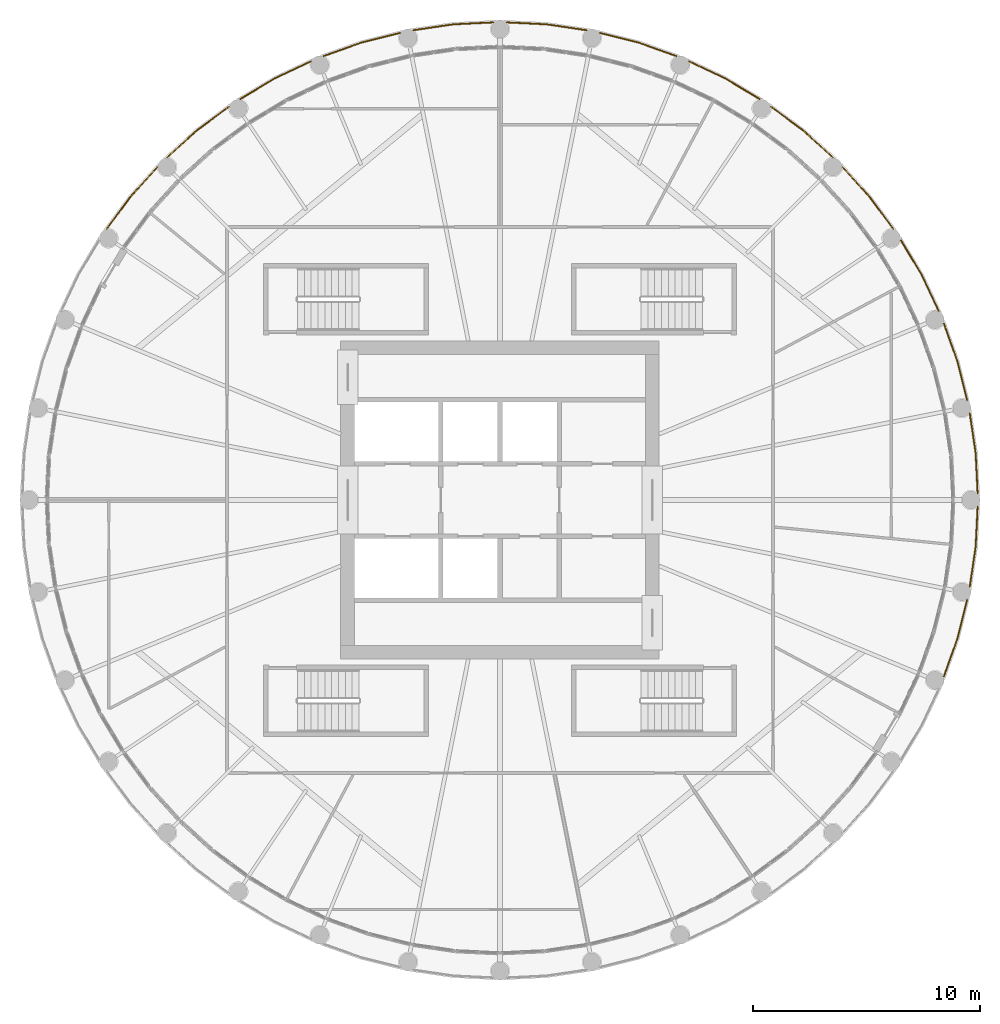
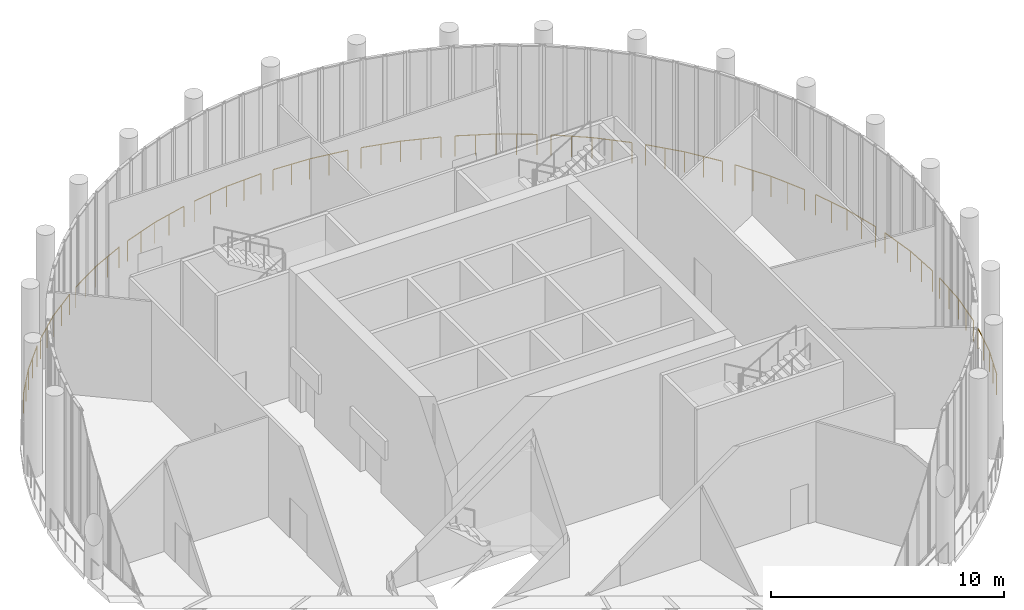
# One storey, part 21 of 21: 15 railings.
"""IFC4 building model written with IfcOpenShell, lengths in metres."""

from ifc_helpers import new_model, si_unit, direction, frame, origin, origin_2d, place, context, subcontext, project, spatial, circle, extrude, material, type_object, element, save


model = new_model("IFC4")

# Units and contexts
model_context = context("Model", 3, precision=1e-05, world=origin(), true_north=direction((0.0, 1.0)))
body_context = subcontext(model_context, "Body", "Model", "MODEL_VIEW")
ifc_project = project(units=[si_unit("LENGTHUNIT", "METRE"), si_unit("AREAUNIT", "SQUARE_METRE"), si_unit("VOLUMEUNIT", "CUBIC_METRE"), si_unit("PLANEANGLEUNIT", "RADIAN"), si_unit("MASSUNIT", "GRAM", prefix="KILO")], contexts=[model_context])

# Site, building, storey
site_placement = place(None, origin())
site = spatial("IfcSite", under=ifc_project, at=site_placement, CompositionType="ELEMENT")
building_placement = place(site_placement, origin())
building = spatial("IfcBuilding", under=site, at=building_placement, Name="Corvane Civic Tower", CompositionType="ELEMENT")
storey_placement = place(building_placement, frame((0.0, 0.0, 380.5)))
storey = spatial("IfcBuildingStorey", under=building, at=storey_placement, Name="L91", CompositionType="ELEMENT", Elevation=380.5)

# Railings
ifc_material = material(Name="Steel ASTM A572 Gr 50", Category="steel")
railing_type = type_object("IfcRailingType", Name="PODIUM-RL-GUARD-1100", PredefinedType="GUARDRAIL", material=ifc_material)
railing_1_placement = place(storey_placement, frame((19.51123046875, -7.7587890625, 0.0)))
element("IfcRailing", 1, at=railing_1_placement, inside=storey, type_object=railing_type, Name="Lookout gallery guard 13", PredefinedType="GUARDRAIL", context=body_context, shape_type="SweptSolid", body=[
    extrude(circle(Radius=0.02392578125, at=origin_2d()), frame((0.0, 0.0, 1.076171875), z_axis=(0.336924092163, 0.941531813653, 0.0), x_axis=(-0.941531813653, 0.336924092163, 0.0)), (0.0, 0.0, 1.0), 1.762939453125),
    extrude(circle(Radius=0.02392578125, at=origin_2d()), frame((0.593994140625, 1.659912109375, 1.076171875), z_axis=(0.243024052124, 0.970020262721, 0.0), x_axis=(-0.970020262721, 0.243024052124, 0.0)), (0.0, 0.0, 1.0), 1.76416015625),
    extrude(circle(Radius=0.02099609375, at=origin_2d()), origin(), (0.0, 0.0, 1.0), 1.052001953125),
    extrude(circle(Radius=0.02099609375, at=origin_2d()), frame((0.296875, 0.830078125, 0.0)), (0.0, 0.0, 1.0), 1.052001953125),
    extrude(circle(Radius=0.02099609375, at=origin_2d()), frame((0.593994140625, 1.659912109375, 0.0)), (0.0, 0.0, 1.0), 1.052001953125),
    extrude(circle(Radius=0.02099609375, at=origin_2d()), frame((0.808349609375, 2.515625, 0.0)), (0.0, 0.0, 1.0), 1.052001953125),
    extrude(circle(Radius=0.02099609375, at=origin_2d()), frame((1.022705078125, 3.37109375, 0.0)), (0.0, 0.0, 1.0), 1.052001953125),
])
railing_2_placement = place(storey_placement, frame((20.64990234375, -3.80419921875, 0.0)))
element("IfcRailing", 2, at=railing_2_placement, inside=storey, type_object=railing_type, Name="Lookout gallery guard 15", PredefinedType="GUARDRAIL", context=body_context, shape_type="SweptSolid", body=[
    extrude(circle(Radius=0.02392578125, at=origin_2d()), frame((0.0, 0.0, 1.076171875), z_axis=(0.146844593448, 0.989159575283, 0.0), x_axis=(-0.989159575283, 0.146844593448, 0.0)), (0.0, 0.0, 1.0), 1.763916015625),
    extrude(circle(Radius=0.02392578125, at=origin_2d()), frame((0.259033203125, 1.744873046875, 1.076171875), z_axis=(0.049019054017, 0.998797843582, 0.0), x_axis=(-0.998797843582, 0.049019054017, 0.0)), (0.0, 0.0, 1.0), 1.76318359375),
    extrude(circle(Radius=0.02099609375, at=origin_2d()), origin(), (0.0, 0.0, 1.0), 1.052001953125),
    extrude(circle(Radius=0.02099609375, at=origin_2d()), frame((0.12939453125, 0.87255859375, 0.0)), (0.0, 0.0, 1.0), 1.052001953125),
    extrude(circle(Radius=0.02099609375, at=origin_2d()), frame((0.259033203125, 1.744873046875, 0.0)), (0.0, 0.0, 1.0), 1.052001953125),
    extrude(circle(Radius=0.02099609375, at=origin_2d()), frame((0.30224609375, 2.62548828125, 0.0)), (0.0, 0.0, 1.0), 1.052001953125),
    extrude(circle(Radius=0.02099609375, at=origin_2d()), frame((0.345458984375, 3.505859375, 0.0)), (0.0, 0.0, 1.0), 1.052001953125),
])
railing_3_placement = place(storey_placement, frame((20.995361328125, 0.29833984375, 0.0)))
element("IfcRailing", 3, at=railing_3_placement, inside=storey, type_object=railing_type, Name="Lookout gallery guard 17", PredefinedType="GUARDRAIL", context=body_context, shape_type="SweptSolid", body=[
    extrude(circle(Radius=0.02392578125, at=origin_2d()), frame((0.0, 0.0, 1.076171875), z_axis=(-0.049019054017, 0.998797843582, 0.0), x_axis=(-0.998797843582, -0.049019054017, 0.0)), (0.0, 0.0, 1.0), 1.76318359375),
    extrude(circle(Radius=0.02392578125, at=origin_2d()), frame((-0.08642578125, 1.760986328125, 1.076171875), z_axis=(-0.146844593448, 0.989159575283, 0.0), x_axis=(-0.989159575283, -0.146844593448, 0.0)), (0.0, 0.0, 1.0), 1.763916015625),
    extrude(circle(Radius=0.02099609375, at=origin_2d()), origin(), (0.0, 0.0, 1.0), 1.052001953125),
    extrude(circle(Radius=0.02099609375, at=origin_2d()), frame((-0.043212890625, 0.88037109375, 0.0)), (0.0, 0.0, 1.0), 1.052001953125),
    extrude(circle(Radius=0.02099609375, at=origin_2d()), frame((-0.08642578125, 1.760986328125, 0.0)), (0.0, 0.0, 1.0), 1.052001953125),
    extrude(circle(Radius=0.02099609375, at=origin_2d()), frame((-0.2158203125, 2.63330078125, 0.0)), (0.0, 0.0, 1.0), 1.052001953125),
    extrude(circle(Radius=0.02099609375, at=origin_2d()), frame((-0.345458984375, 3.505859375, 0.0)), (0.0, 0.0, 1.0), 1.052001953125),
])
railing_4_placement = place(storey_placement, frame((20.533935546875, 4.3876953125, 0.0)))
element("IfcRailing", 4, at=railing_4_placement, inside=storey, type_object=railing_type, Name="Lookout gallery guard 19", PredefinedType="GUARDRAIL", context=body_context, shape_type="SweptSolid", body=[
    extrude(circle(Radius=0.02392578125, at=origin_2d()), frame((0.0, 0.0, 1.076171875), z_axis=(-0.243024052124, 0.970020262721, 0.0), x_axis=(-0.970020262721, -0.243024052124, 0.0)), (0.0, 0.0, 1.0), 1.76416015625),
    extrude(circle(Radius=0.02392578125, at=origin_2d()), frame((-0.4287109375, 1.711181640625, 1.076171875), z_axis=(-0.336924092163, 0.941531813653, 0.0), x_axis=(-0.941531813653, -0.336924092163, 0.0)), (0.0, 0.0, 1.0), 1.762939453125),
    extrude(circle(Radius=0.02099609375, at=origin_2d()), origin(), (0.0, 0.0, 1.0), 1.052001953125),
    extrude(circle(Radius=0.02099609375, at=origin_2d()), frame((-0.21435546875, 0.85546875, 0.0)), (0.0, 0.0, 1.0), 1.052001953125),
    extrude(circle(Radius=0.02099609375, at=origin_2d()), frame((-0.4287109375, 1.711181640625, 0.0)), (0.0, 0.0, 1.0), 1.052001953125),
    extrude(circle(Radius=0.02099609375, at=origin_2d()), frame((-0.7255859375, 2.541015625, 0.0)), (0.0, 0.0, 1.0), 1.052001953125),
    extrude(circle(Radius=0.02099609375, at=origin_2d()), frame((-1.022705078125, 3.37109375, 0.0)), (0.0, 0.0, 1.0), 1.052001953125),
])
railing_5_placement = place(storey_placement, frame((19.282958984375, 8.310302734375, 0.0)))
element("IfcRailing", 5, at=railing_5_placement, inside=storey, type_object=railing_type, Name="Lookout gallery guard 21", PredefinedType="GUARDRAIL", context=body_context, shape_type="SweptSolid", body=[
    extrude(circle(Radius=0.02392578125, at=origin_2d()), frame((0.0, 0.0, 1.076171875), z_axis=(-0.427610082489, 0.903963283189, 0.0), x_axis=(-0.903963283189, -0.427610082489, 0.0)), (0.0, 0.0, 1.0), 1.76318359375),
    extrude(circle(Radius=0.02392578125, at=origin_2d()), frame((-0.75390625, 1.59375, 1.076171875), z_axis=(-0.514007211238, 0.857785863019, 0.0), x_axis=(-0.857785863019, -0.514007211238, 0.0)), (0.0, 0.0, 1.0), 1.76416015625),
    extrude(circle(Radius=0.02099609375, at=origin_2d()), origin(), (0.0, 0.0, 1.0), 1.052001953125),
    extrude(circle(Radius=0.02099609375, at=origin_2d()), frame((-0.376953125, 0.796875, 0.0)), (0.0, 0.0, 1.0), 1.052001953125),
    extrude(circle(Radius=0.02099609375, at=origin_2d()), frame((-0.75390625, 1.59375, 0.0)), (0.0, 0.0, 1.0), 1.052001953125),
    extrude(circle(Radius=0.02099609375, at=origin_2d()), frame((-1.207275390625, 2.350341796875, 0.0)), (0.0, 0.0, 1.0), 1.052001953125),
    extrude(circle(Radius=0.02099609375, at=origin_2d()), frame((-1.66064453125, 3.10693359375, 0.0)), (0.0, 0.0, 1.0), 1.052001953125),
])
railing_6_placement = place(storey_placement, frame((17.2919921875, 11.91162109375, 0.0)))
element("IfcRailing", 6, at=railing_6_placement, inside=storey, type_object=railing_type, Name="Lookout gallery guard 23", PredefinedType="GUARDRAIL", context=body_context, shape_type="SweptSolid", body=[
    extrude(circle(Radius=0.02392578125, at=origin_2d()), frame((0.0, 0.0, 1.076171875), z_axis=(-0.595740391602, 0.803177057574, 0.0), x_axis=(-0.803177057574, -0.595740391602, 0.0)), (0.0, 0.0, 1.0), 1.76416015625),
    extrude(circle(Radius=0.02392578125, at=origin_2d()), frame((-1.051025390625, 1.4169921875, 1.076171875), z_axis=(-0.671631115682, 0.740885716185, 0.0), x_axis=(-0.740885716185, -0.671631115682, 0.0)), (0.0, 0.0, 1.0), 1.7626953125),
    extrude(circle(Radius=0.02099609375, at=origin_2d()), origin(), (0.0, 0.0, 1.0), 1.052001953125),
    extrude(circle(Radius=0.02099609375, at=origin_2d()), frame((-0.525390625, 0.70849609375, 0.0)), (0.0, 0.0, 1.0), 1.052001953125),
    extrude(circle(Radius=0.02099609375, at=origin_2d()), frame((-1.051025390625, 1.4169921875, 0.0)), (0.0, 0.0, 1.0), 1.052001953125),
    extrude(circle(Radius=0.02099609375, at=origin_2d()), frame((-1.64306640625, 2.06982421875, 0.0)), (0.0, 0.0, 1.0), 1.052001953125),
    extrude(circle(Radius=0.02099609375, at=origin_2d()), frame((-2.23486328125, 2.722900390625, 0.0)), (0.0, 0.0, 1.0), 1.052001953125),
])
railing_7_placement = place(storey_placement, frame((-15.05712890625, 14.634521484375, 0.0)))
element("IfcRailing", 7, at=railing_7_placement, inside=storey, type_object=railing_type, Name="Lookout gallery guard 24", PredefinedType="GUARDRAIL", context=body_context, shape_type="SweptSolid", body=[
    extrude(circle(Radius=0.02392578125, at=origin_2d()), frame((0.0, 0.0, 1.076171875), z_axis=(-0.671631115682, -0.740885716185, 0.0), x_axis=(0.740885716185, -0.671631115682, 0.0)), (0.0, 0.0, 1.0), 1.7626953125),
    extrude(circle(Radius=0.02392578125, at=origin_2d()), frame((-1.183837890625, -1.305908203125, 1.076171875), z_axis=(-0.595740391602, -0.803177057574, 0.0), x_axis=(0.803177057574, -0.595740391602, 0.0)), (0.0, 0.0, 1.0), 1.76416015625),
    extrude(circle(Radius=0.02099609375, at=origin_2d()), origin(), (0.0, 0.0, 1.0), 1.052001953125),
    extrude(circle(Radius=0.02099609375, at=origin_2d()), frame((-0.591796875, -0.65283203125, 0.0)), (0.0, 0.0, 1.0), 1.052001953125),
    extrude(circle(Radius=0.02099609375, at=origin_2d()), frame((-1.183837890625, -1.305908203125, 0.0)), (0.0, 0.0, 1.0), 1.052001953125),
    extrude(circle(Radius=0.02099609375, at=origin_2d()), frame((-1.70947265625, -2.014404296875, 0.0)), (0.0, 0.0, 1.0), 1.052001953125),
    extrude(circle(Radius=0.02099609375, at=origin_2d()), frame((-2.23486328125, -2.722900390625, 0.0)), (0.0, 0.0, 1.0), 1.052001953125),
])
railing_8_placement = place(storey_placement, frame((14.634521484375, 15.05712890625, 0.0)))
element("IfcRailing", 8, at=railing_8_placement, inside=storey, type_object=railing_type, Name="Lookout gallery guard 25", PredefinedType="GUARDRAIL", context=body_context, shape_type="SweptSolid", body=[
    extrude(circle(Radius=0.02392578125, at=origin_2d()), frame((0.0, 0.0, 1.076171875), z_axis=(-0.740885716185, 0.671631115682, 0.0), x_axis=(-0.671631115682, -0.740885716185, 0.0)), (0.0, 0.0, 1.0), 1.7626953125),
    extrude(circle(Radius=0.02392578125, at=origin_2d()), frame((-1.305908203125, 1.183837890625, 1.076171875), z_axis=(-0.803177057574, 0.595740391602, 0.0), x_axis=(-0.595740391602, -0.803177057574, 0.0)), (0.0, 0.0, 1.0), 1.76416015625),
    extrude(circle(Radius=0.02099609375, at=origin_2d()), origin(), (0.0, 0.0, 1.0), 1.052001953125),
    extrude(circle(Radius=0.02099609375, at=origin_2d()), frame((-0.65283203125, 0.591796875, 0.0)), (0.0, 0.0, 1.0), 1.052001953125),
    extrude(circle(Radius=0.02099609375, at=origin_2d()), frame((-1.305908203125, 1.183837890625, 0.0)), (0.0, 0.0, 1.0), 1.052001953125),
    extrude(circle(Radius=0.02099609375, at=origin_2d()), frame((-2.014404296875, 1.70947265625, 0.0)), (0.0, 0.0, 1.0), 1.052001953125),
    extrude(circle(Radius=0.02099609375, at=origin_2d()), frame((-2.722900390625, 2.23486328125, 0.0)), (0.0, 0.0, 1.0), 1.052001953125),
])
railing_9_placement = place(storey_placement, frame((-11.91162109375, 17.2919921875, 0.0)))
element("IfcRailing", 9, at=railing_9_placement, inside=storey, type_object=railing_type, Name="Lookout gallery guard 26", PredefinedType="GUARDRAIL", context=body_context, shape_type="SweptSolid", body=[
    extrude(circle(Radius=0.02392578125, at=origin_2d()), frame((0.0, 0.0, 1.076171875), z_axis=(-0.803177057574, -0.595740391602, 0.0), x_axis=(0.595740391602, -0.803177057574, 0.0)), (0.0, 0.0, 1.0), 1.76416015625),
    extrude(circle(Radius=0.02392578125, at=origin_2d()), frame((-1.4169921875, -1.051025390625, 1.076171875), z_axis=(-0.740885716185, -0.671631115682, 0.0), x_axis=(0.671631115682, -0.740885716185, 0.0)), (0.0, 0.0, 1.0), 1.7626953125),
    extrude(circle(Radius=0.02099609375, at=origin_2d()), origin(), (0.0, 0.0, 1.0), 1.052001953125),
    extrude(circle(Radius=0.02099609375, at=origin_2d()), frame((-0.70849609375, -0.525390625, 0.0)), (0.0, 0.0, 1.0), 1.052001953125),
    extrude(circle(Radius=0.02099609375, at=origin_2d()), frame((-1.4169921875, -1.051025390625, 0.0)), (0.0, 0.0, 1.0), 1.052001953125),
    extrude(circle(Radius=0.02099609375, at=origin_2d()), frame((-2.06982421875, -1.64306640625, 0.0)), (0.0, 0.0, 1.0), 1.052001953125),
    extrude(circle(Radius=0.02099609375, at=origin_2d()), frame((-2.722900390625, -2.23486328125, 0.0)), (0.0, 0.0, 1.0), 1.052001953125),
])
railing_10_placement = place(storey_placement, frame((11.417236328125, 17.622314453125, 0.0)))
element("IfcRailing", 10, at=railing_10_placement, inside=storey, type_object=railing_type, Name="Lookout gallery guard 27", PredefinedType="GUARDRAIL", context=body_context, shape_type="SweptSolid", body=[
    extrude(circle(Radius=0.02392578125, at=origin_2d()), frame((0.0, 0.0, 1.076171875), z_axis=(-0.857785863019, 0.514007211238, 0.0), x_axis=(-0.514007211238, -0.857785863019, 0.0)), (0.0, 0.0, 1.0), 1.76416015625),
    extrude(circle(Radius=0.02392578125, at=origin_2d()), frame((-1.51318359375, 0.90673828125, 1.076171875), z_axis=(-0.903963283189, 0.427610082489, 0.0), x_axis=(-0.427610082489, -0.903963283189, 0.0)), (0.0, 0.0, 1.0), 1.76318359375),
    extrude(circle(Radius=0.02099609375, at=origin_2d()), origin(), (0.0, 0.0, 1.0), 1.052001953125),
    extrude(circle(Radius=0.02099609375, at=origin_2d()), frame((-0.756591796875, 0.453369140625, 0.0)), (0.0, 0.0, 1.0), 1.052001953125),
    extrude(circle(Radius=0.02099609375, at=origin_2d()), frame((-1.51318359375, 0.90673828125, 0.0)), (0.0, 0.0, 1.0), 1.052001953125),
    extrude(circle(Radius=0.02099609375, at=origin_2d()), frame((-2.31005859375, 1.28369140625, 0.0)), (0.0, 0.0, 1.0), 1.052001953125),
    extrude(circle(Radius=0.02099609375, at=origin_2d()), frame((-3.10693359375, 1.66064453125, 0.0)), (0.0, 0.0, 1.0), 1.052001953125),
])
railing_11_placement = place(storey_placement, frame((-8.310302734375, 19.282958984375, 0.0)))
element("IfcRailing", 11, at=railing_11_placement, inside=storey, type_object=railing_type, Name="Lookout gallery guard 28", PredefinedType="GUARDRAIL", context=body_context, shape_type="SweptSolid", body=[
    extrude(circle(Radius=0.02392578125, at=origin_2d()), frame((0.0, 0.0, 1.076171875), z_axis=(-0.903963283189, -0.427610082489, 0.0), x_axis=(0.427610082489, -0.903963283189, 0.0)), (0.0, 0.0, 1.0), 1.76318359375),
    extrude(circle(Radius=0.02392578125, at=origin_2d()), frame((-1.59375, -0.75390625, 1.076171875), z_axis=(-0.857785863019, -0.514007211238, 0.0), x_axis=(0.514007211238, -0.857785863019, 0.0)), (0.0, 0.0, 1.0), 1.76416015625),
    extrude(circle(Radius=0.02099609375, at=origin_2d()), origin(), (0.0, 0.0, 1.0), 1.052001953125),
    extrude(circle(Radius=0.02099609375, at=origin_2d()), frame((-0.796875, -0.376953125, 0.0)), (0.0, 0.0, 1.0), 1.052001953125),
    extrude(circle(Radius=0.02099609375, at=origin_2d()), frame((-1.59375, -0.75390625, 0.0)), (0.0, 0.0, 1.0), 1.052001953125),
    extrude(circle(Radius=0.02099609375, at=origin_2d()), frame((-2.350341796875, -1.207275390625, 0.0)), (0.0, 0.0, 1.0), 1.052001953125),
    extrude(circle(Radius=0.02099609375, at=origin_2d()), frame((-3.10693359375, -1.66064453125, 0.0)), (0.0, 0.0, 1.0), 1.052001953125),
])
railing_12_placement = place(storey_placement, frame((7.7587890625, 19.51123046875, 0.0)))
element("IfcRailing", 12, at=railing_12_placement, inside=storey, type_object=railing_type, Name="Lookout gallery guard 29", PredefinedType="GUARDRAIL", context=body_context, shape_type="SweptSolid", body=[
    extrude(circle(Radius=0.02392578125, at=origin_2d()), frame((0.0, 0.0, 1.076171875), z_axis=(-0.941531813653, 0.336924092163, 0.0), x_axis=(-0.336924092163, -0.941531813653, 0.0)), (0.0, 0.0, 1.0), 1.762939453125),
    extrude(circle(Radius=0.02392578125, at=origin_2d()), frame((-1.659912109375, 0.593994140625, 1.076171875), z_axis=(-0.970020262721, 0.243024052124, 0.0), x_axis=(-0.243024052124, -0.970020262721, 0.0)), (0.0, 0.0, 1.0), 1.76416015625),
    extrude(circle(Radius=0.02099609375, at=origin_2d()), origin(), (0.0, 0.0, 1.0), 1.052001953125),
    extrude(circle(Radius=0.02099609375, at=origin_2d()), frame((-0.830078125, 0.296875, 0.0)), (0.0, 0.0, 1.0), 1.052001953125),
    extrude(circle(Radius=0.02099609375, at=origin_2d()), frame((-1.659912109375, 0.593994140625, 0.0)), (0.0, 0.0, 1.0), 1.052001953125),
    extrude(circle(Radius=0.02099609375, at=origin_2d()), frame((-2.515625, 0.808349609375, 0.0)), (0.0, 0.0, 1.0), 1.052001953125),
    extrude(circle(Radius=0.02099609375, at=origin_2d()), frame((-3.37109375, 1.022705078125, 0.0)), (0.0, 0.0, 1.0), 1.052001953125),
])
railing_13_placement = place(storey_placement, frame((-4.3876953125, 20.533935546875, 0.0)))
element("IfcRailing", 13, at=railing_13_placement, inside=storey, type_object=railing_type, Name="Lookout gallery guard 30", PredefinedType="GUARDRAIL", context=body_context, shape_type="SweptSolid", body=[
    extrude(circle(Radius=0.02392578125, at=origin_2d()), frame((0.0, 0.0, 1.076171875), z_axis=(-0.970020262721, -0.243024052124, 0.0), x_axis=(0.243024052124, -0.970020262721, 0.0)), (0.0, 0.0, 1.0), 1.76416015625),
    extrude(circle(Radius=0.02392578125, at=origin_2d()), frame((-1.711181640625, -0.4287109375, 1.076171875), z_axis=(-0.941531813653, -0.336924092163, 0.0), x_axis=(0.336924092163, -0.941531813653, 0.0)), (0.0, 0.0, 1.0), 1.762939453125),
    extrude(circle(Radius=0.02099609375, at=origin_2d()), origin(), (0.0, 0.0, 1.0), 1.052001953125),
    extrude(circle(Radius=0.02099609375, at=origin_2d()), frame((-0.85546875, -0.21435546875, 0.0)), (0.0, 0.0, 1.0), 1.052001953125),
    extrude(circle(Radius=0.02099609375, at=origin_2d()), frame((-1.711181640625, -0.4287109375, 0.0)), (0.0, 0.0, 1.0), 1.052001953125),
    extrude(circle(Radius=0.02099609375, at=origin_2d()), frame((-2.541015625, -0.7255859375, 0.0)), (0.0, 0.0, 1.0), 1.052001953125),
    extrude(circle(Radius=0.02099609375, at=origin_2d()), frame((-3.37109375, -1.022705078125, 0.0)), (0.0, 0.0, 1.0), 1.052001953125),
])
railing_14_placement = place(storey_placement, frame((3.80419921875, 20.64990234375, 0.0)))
element("IfcRailing", 14, at=railing_14_placement, inside=storey, type_object=railing_type, Name="Lookout gallery guard 31", PredefinedType="GUARDRAIL", context=body_context, shape_type="SweptSolid", body=[
    extrude(circle(Radius=0.02392578125, at=origin_2d()), frame((0.0, 0.0, 1.076171875), z_axis=(-0.989159575283, 0.146844593448, 0.0), x_axis=(-0.146844593448, -0.989159575283, 0.0)), (0.0, 0.0, 1.0), 1.763916015625),
    extrude(circle(Radius=0.02392578125, at=origin_2d()), frame((-1.744873046875, 0.259033203125, 1.076171875), z_axis=(-0.998797843582, 0.049019054017, 0.0), x_axis=(-0.049019054017, -0.998797843582, 0.0)), (0.0, 0.0, 1.0), 1.76318359375),
    extrude(circle(Radius=0.02099609375, at=origin_2d()), origin(), (0.0, 0.0, 1.0), 1.052001953125),
    extrude(circle(Radius=0.02099609375, at=origin_2d()), frame((-0.87255859375, 0.12939453125, 0.0)), (0.0, 0.0, 1.0), 1.052001953125),
    extrude(circle(Radius=0.02099609375, at=origin_2d()), frame((-1.744873046875, 0.259033203125, 0.0)), (0.0, 0.0, 1.0), 1.052001953125),
    extrude(circle(Radius=0.02099609375, at=origin_2d()), frame((-2.62548828125, 0.30224609375, 0.0)), (0.0, 0.0, 1.0), 1.052001953125),
    extrude(circle(Radius=0.02099609375, at=origin_2d()), frame((-3.505859375, 0.345458984375, 0.0)), (0.0, 0.0, 1.0), 1.052001953125),
])
railing_15_placement = place(storey_placement, frame((-0.29833984375, 20.995361328125, 0.0)))
element("IfcRailing", 15, at=railing_15_placement, inside=storey, type_object=railing_type, Name="Lookout gallery guard 32", PredefinedType="GUARDRAIL", context=body_context, shape_type="SweptSolid", body=[
    extrude(circle(Radius=0.02392578125, at=origin_2d()), frame((0.0, 0.0, 1.076171875), z_axis=(-0.998797843582, -0.049019054017, 0.0), x_axis=(0.049019054017, -0.998797843582, 0.0)), (0.0, 0.0, 1.0), 1.76318359375),
    extrude(circle(Radius=0.02392578125, at=origin_2d()), frame((-1.760986328125, -0.08642578125, 1.076171875), z_axis=(-0.989159575283, -0.146844593448, 0.0), x_axis=(0.146844593448, -0.989159575283, 0.0)), (0.0, 0.0, 1.0), 1.763916015625),
    extrude(circle(Radius=0.02099609375, at=origin_2d()), origin(), (0.0, 0.0, 1.0), 1.052001953125),
    extrude(circle(Radius=0.02099609375, at=origin_2d()), frame((-0.88037109375, -0.043212890625, 0.0)), (0.0, 0.0, 1.0), 1.052001953125),
    extrude(circle(Radius=0.02099609375, at=origin_2d()), frame((-1.760986328125, -0.08642578125, 0.0)), (0.0, 0.0, 1.0), 1.052001953125),
    extrude(circle(Radius=0.02099609375, at=origin_2d()), frame((-2.63330078125, -0.2158203125, 0.0)), (0.0, 0.0, 1.0), 1.052001953125),
    extrude(circle(Radius=0.02099609375, at=origin_2d()), frame((-3.505859375, -0.345458984375, 0.0)), (0.0, 0.0, 1.0), 1.052001953125),
])

save(model, "model.ifc")
